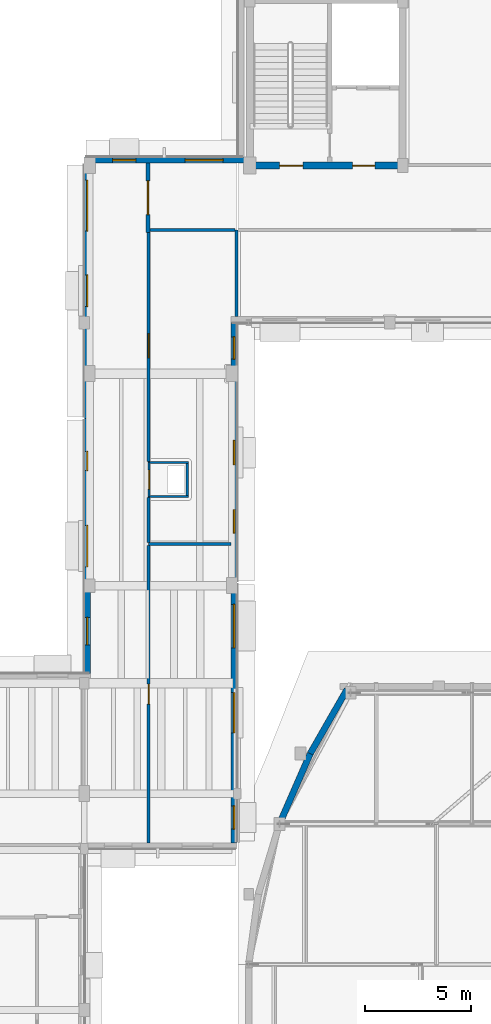
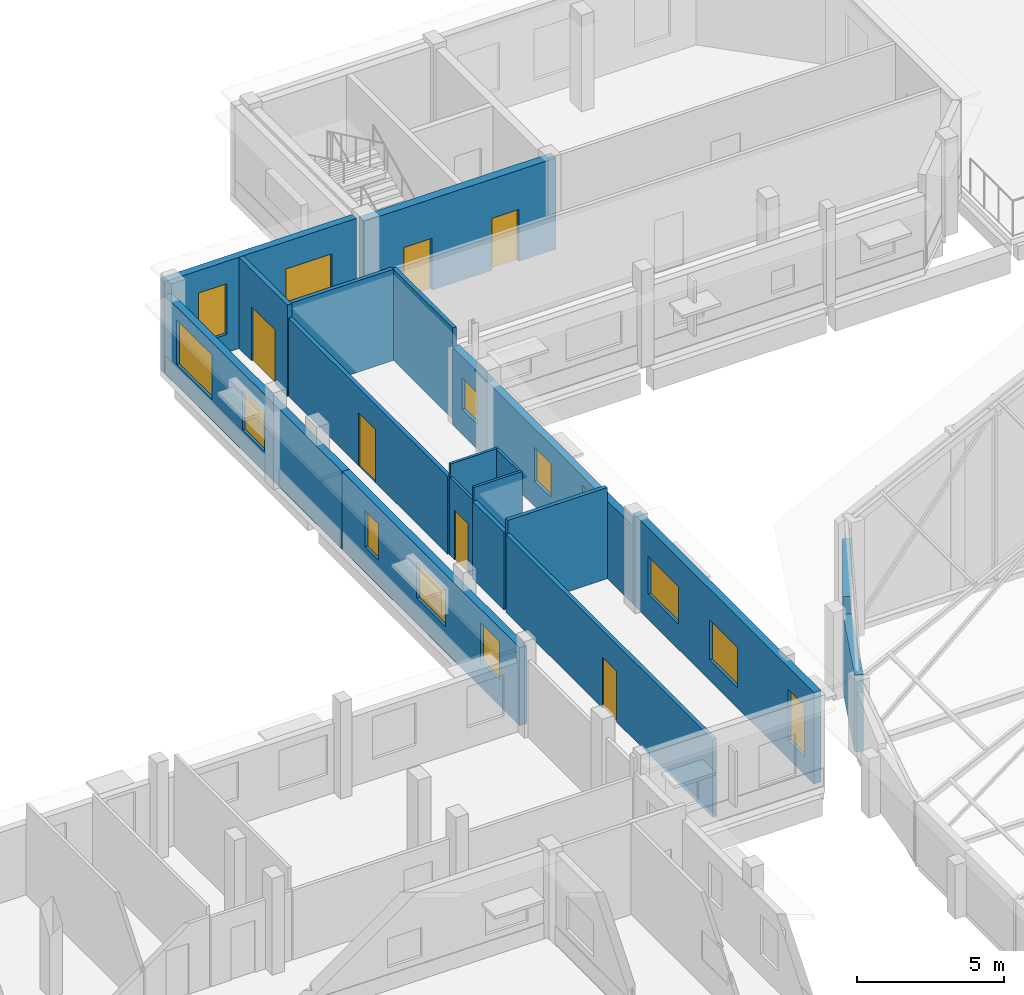
# One storey, part 66 of 78: 19 walls, 13 windows, 6 doors, 19 openings.
"""IFC4 building model written with IfcOpenShell, lengths in metres."""

import ifcopenshell
import ifcopenshell.guid

model = None  # the IFC model being written
_history = None  # IfcOwnerHistory: only IFC2X3 demands one
_inside = {}  # id of a spatial element -> (the spatial element, [elements in it])
_under = {}  # id of a project, library or spatial element -> (it, [spatial elements below it])
_declared = {}  # id of a project -> (the project, [libraries it declares])
_typed = {}  # id of a type object -> (the type object, [elements of that type])
_made_of = {}  # id of a material, layer set ... -> (it, [elements and type objects made of it])


def new_model(schema):
    """Start an empty IFC model of exactly this schema.

    Asked for "IFC4X3", IfcOpenShell would pick the latest addendum, in which some entities
    have other attributes; the version numbers below select the first issue.
    IFC2X3 requires an IfcOwnerHistory on every rooted entity: one is made here for all.
    """
    global model, _history
    if schema == "IFC4X3":
        model = ifcopenshell.file(schema_version=(4, 3, 0, 0))
    else:
        model = ifcopenshell.file(schema=schema)
    _inside.clear()
    _under.clear()
    _declared.clear()
    _typed.clear()
    _made_of.clear()
    _history = None
    if model.schema == "IFC2X3":
        org = make("IfcOrganization", Name="unknown")
        user = make(
            "IfcPersonAndOrganization",
            ThePerson=make("IfcPerson", FamilyName="unknown"),
            TheOrganization=org,
        )
        app = make(
            "IfcApplication",
            ApplicationDeveloper=org,
            Version="unknown",
            ApplicationFullName="unknown",
            ApplicationIdentifier="unknown",
        )
        _history = make(
            "IfcOwnerHistory",
            OwningUser=user,
            OwningApplication=app,
            ChangeAction="ADDED",
            CreationDate=0,
        )
    return model


def make(cls, **values):
    """One entity of the class cls with the attributes given. An attribute that is None is left unset."""
    return model.create_entity(
        cls, **{name: value for name, value in values.items() if value is not None}
    )


def rooted(cls, **values):
    """An entity with a GlobalId (a new one), such as an element, a storey or a relation."""
    return make(cls, GlobalId=ifcopenshell.guid.new(), OwnerHistory=_history, **values)


def si_unit(unit_type, name, prefix=None):
    """IfcSIUnit, for example si_unit("LENGTHUNIT", "METRE", prefix="MILLI")."""
    return make("IfcSIUnit", UnitType=unit_type, Prefix=prefix, Name=name)


def assignment(units):
    """IfcUnitAssignment: the units of a project."""
    return None if units is None else make("IfcUnitAssignment", Units=units)


def point(xyz):
    """IfcCartesianPoint."""
    return None if xyz is None else make("IfcCartesianPoint", Coordinates=xyz)


def direction(xyz):
    """IfcDirection."""
    return None if xyz is None else make("IfcDirection", DirectionRatios=xyz)


def frame(location, z_axis=None, x_axis=None):
    """IfcAxis2Placement3D, a coordinate frame: its origin and axes. An axis left out is left unset."""
    return make(
        "IfcAxis2Placement3D",
        Location=point(location),
        Axis=direction(z_axis),
        RefDirection=direction(x_axis),
    )


def frame_2d(location, x_axis=None):
    """IfcAxis2Placement2D, a coordinate frame in the plane: its origin and x axis."""
    return make(
        "IfcAxis2Placement2D", Location=point(location), RefDirection=direction(x_axis)
    )


def origin():
    """The frame at (0, 0, 0) with its axes left unset."""
    return frame((0.0, 0.0, 0.0))


def place(relative_to, where):
    """IfcLocalPlacement: puts the frame where relative to a parent placement (None: the world)."""
    return make(
        "IfcLocalPlacement", PlacementRelTo=relative_to, RelativePlacement=where
    )


def context(
    kind, dimensions, precision=None, world=None, true_north=None, identifier=None
):
    """IfcGeometricRepresentationContext, for example the 3D "Model" context."""
    return make(
        "IfcGeometricRepresentationContext",
        ContextIdentifier=identifier,
        ContextType=kind,
        CoordinateSpaceDimension=dimensions,
        Precision=precision,
        WorldCoordinateSystem=world,
        TrueNorth=true_north,
    )


def subcontext(parent, identifier, kind, view, scale=None):
    """IfcGeometricRepresentationSubContext, for example "Body" below "Model"."""
    return make(
        "IfcGeometricRepresentationSubContext",
        ContextIdentifier=identifier,
        ContextType=kind,
        ParentContext=parent,
        TargetScale=scale,
        TargetView=view,
    )


def project(units=None, contexts=None):
    """IfcProject with its units and contexts."""
    return rooted(
        "IfcProject",
        Name="project",
        RepresentationContexts=contexts,
        UnitsInContext=assignment(units),
    )


def spatial(cls, under=None, at=None, **own):
    """A site, building, storey or space (cls), placed at a placement, below another one or the project."""
    s = rooted(cls, ObjectPlacement=at, **own)
    if under is not None:
        _under.setdefault(under.id(), (under, []))[1].append(s)
    return s


def profile(cls, at=None, kind="AREA", **sizes):
    """A parametric profile (cls). Its sizes go by their IFC names, for example OverallWidth=200.0."""
    return make(cls, ProfileType=kind, Position=at, **sizes)


def rectangle(**sizes):
    """IfcRectangleProfileDef."""
    return profile("IfcRectangleProfileDef", **sizes)


def extrude(swept, where, along, depth):
    """IfcExtrudedAreaSolid: the profile swept, set in the frame where, extruded along a direction by depth."""
    return make(
        "IfcExtrudedAreaSolid",
        SweptArea=swept,
        Position=where,
        ExtrudedDirection=direction(along),
        Depth=depth,
    )


def shape(context_of_items, identifier, shape_type, items):
    """IfcShapeRepresentation: the items that make up one representation, for example the "Body"."""
    return make(
        "IfcShapeRepresentation",
        ContextOfItems=context_of_items,
        RepresentationIdentifier=identifier,
        RepresentationType=shape_type,
        Items=items,
    )


def material(Name=None, Category=None):
    """IfcMaterial."""
    return make("IfcMaterial", Name=Name, Category=Category)


def layer(
    of_material, thickness, ventilated=None, Name=None, Category=None, Priority=None
):
    """IfcMaterialLayer: one layer of a wall or slab, of a material (None: an air gap)."""
    return make(
        "IfcMaterialLayer",
        Material=of_material,
        LayerThickness=thickness,
        IsVentilated=ventilated,
        Name=Name,
        Category=Category,
        Priority=Priority,
    )


def layer_set(layers, Name=None):
    """IfcMaterialLayerSet."""
    return make("IfcMaterialLayerSet", MaterialLayers=layers, LayerSetName=Name)


def made_of(thing, what):
    """Note that an element or type object is made of a material, layer set ...; save() writes the relation."""
    if what is not None:
        _made_of.setdefault(what.id(), (what, []))[1].append(thing)
    return thing


def type_object(cls, material=None, **own):
    """A type object (cls), such as IfcWallType, which elements share."""
    return made_of(rooted(cls, **own), material)


def element(
    cls,
    number,
    at=None,
    inside=None,
    cuts=None,
    type_object=None,
    material=None,
    context=None,
    identifier="Body",
    shape_type=None,
    held_by="IfcProductDefinitionShape",
    body=None,
    shapes=None,
    **own,
):
    """One element of the class cls, such as IfcWall. Its Tag is "e" and its number.

    at: its placement. inside: the storey or other place that contains it. cuts: it is an
    opening in that element (IfcRelVoidsElement). A single representation is given by context,
    identifier, shape_type and body (its items); several are given by shapes. held_by: the class
    of the entity that holds the representations. save() writes the other relations.
    """
    e = rooted(cls, Tag="e%d" % number, ObjectPlacement=at, **own)
    if body is not None:
        shapes = [shape(context, identifier, shape_type, body)]
    if shapes is not None:
        e.Representation = make(held_by, Representations=shapes)
    if inside is not None:
        _inside.setdefault(inside.id(), (inside, []))[1].append(e)
    if cuts is not None:
        rooted(
            "IfcRelVoidsElement", RelatingBuildingElement=cuts, RelatedOpeningElement=e
        )
    if type_object is not None:
        _typed.setdefault(type_object.id(), (type_object, []))[1].append(e)
    return made_of(e, material)


def fill(opening, filler):
    """IfcRelFillsElement: the door or window that sits in an opening."""
    return rooted(
        "IfcRelFillsElement",
        RelatingOpeningElement=opening,
        RelatedBuildingElement=filler,
    )


def aggregate(whole, parts):
    """IfcRelAggregates: a whole, such as a stair, and the parts it consists of."""
    return rooted("IfcRelAggregates", RelatingObject=whole, RelatedObjects=parts)


def save(model, path):
    """Write the relations noted so far, then the file.

    IfcRelAggregates (storeys below a building ...), IfcRelContainedInSpatialStructure (elements
    in a storey), IfcRelDefinesByType, IfcRelAssociatesMaterial and IfcRelDeclares: one each for
    every whole, place, type object, material and project.
    """
    for whole, parts in _under.values():
        aggregate(whole, parts)
    for where, things in _inside.values():
        rooted(
            "IfcRelContainedInSpatialStructure",
            RelatedElements=things,
            RelatingStructure=where,
        )
    for kind, things in _typed.values():
        rooted("IfcRelDefinesByType", RelatedObjects=things, RelatingType=kind)
    for what, things in _made_of.values():
        rooted("IfcRelAssociatesMaterial", RelatedObjects=things, RelatingMaterial=what)
    for by, libraries in _declared.values():
        rooted("IfcRelDeclares", RelatingContext=by, RelatedDefinitions=libraries)
    model.write(path)


model = new_model("IFC4")

# Units and contexts
model_context = context("Model", 3, precision=1e-05, world=origin(), true_north=direction((0.0, 1.0)))
body_context = subcontext(model_context, "Body", "Model", "MODEL_VIEW")
ifc_project = project(units=[si_unit("LENGTHUNIT", "METRE"), si_unit("AREAUNIT", "SQUARE_METRE"), si_unit("VOLUMEUNIT", "CUBIC_METRE"), si_unit("PLANEANGLEUNIT", "RADIAN"), si_unit("MASSUNIT", "GRAM", prefix="KILO")], contexts=[model_context])

# Site, building, storey
site_placement = place(None, origin())
site = spatial("IfcSite", under=ifc_project, at=site_placement, CompositionType="ELEMENT")
building_placement = place(site_placement, origin())
building = spatial("IfcBuilding", under=site, at=building_placement, Name="Kelanivale Promenade Academy", CompositionType="ELEMENT")
storey_placement = place(building_placement, frame((0.0, 0.0, 16.199951171875)))
storey = spatial("IfcBuildingStorey", under=building, at=storey_placement, Name="L04", CompositionType="ELEMENT", Elevation=16.199951171875)

# Wall, openings, doors
ifc_material_1 = material(Name="Concrete C40/50", Category="concrete")
ifc_layer_1 = layer(ifc_material_1, 0.330078125)
ifc_layer_set_1 = layer_set([ifc_layer_1], Name="Concrete C40/50")
wall_type_1 = type_object("IfcWallType", Name="CW-S1 Wall 330mm", PredefinedType="SHEAR", material=ifc_layer_set_1)
wall_1_placement = place(storey_placement, frame((123.235107421875, 103.800048828125, 0.0), z_axis=(0.0, 0.0, 1.0), x_axis=(1.0, 0.0, 0.0)))
wall_1 = element("IfcWall", 1, at=wall_1_placement, inside=storey, type_object=wall_type_1, Name="CORE-5 RC shear wall S L04", PredefinedType="SHEAR", context=body_context, shape_type="SweptSolid", body=[
    extrude(rectangle(XDim=7.52978515625, YDim=0.330078125, at=frame_2d((3.764892578125, 0.0))), origin(), (0.0, 0.0, 1.0), 3.780029296875),
])
opening_1_placement = place(wall_1_placement, frame((5.014892578125, 0.0, 0.0)))
opening_1 = element("IfcOpeningElement", 2, at=opening_1_placement, cuts=wall_1, Name="Opening FD-CORE-5-LB-L04", PredefinedType="OPENING", context=body_context, shape_type="SweptSolid", body=[
    extrude(rectangle(XDim=1.050048828125, YDim=2.14990234375, at=frame_2d((0.52490234375, 1.074951171875))), frame((0.0, 0.175048828125, 0.0), z_axis=(0.0, -1.0, 0.0), x_axis=(1.0, 0.0, 0.0)), (0.0, 0.0, 1.0), 0.35009765625),
])
opening_2_placement = place(wall_1_placement, frame((1.56494140625, 0.0, 0.0)))
opening_2 = element("IfcOpeningElement", 3, at=opening_2_placement, cuts=wall_1, Name="Opening FD-CORE-5-ST-L04", PredefinedType="OPENING", context=body_context, shape_type="SweptSolid", body=[
    extrude(rectangle(XDim=1.10009765625, YDim=2.14990234375, at=frame_2d((0.550048828125, 1.074951171875))), frame((0.0, 0.175048828125, 0.0), z_axis=(0.0, -1.0, 0.0), x_axis=(1.0, 0.0, 0.0)), (0.0, 0.0, 1.0), 0.35009765625),
])
ifc_material_2 = material(Name="Fire-rated steel-core teak veneer", Category="steel")
door_type_1 = type_object("IfcDoorType", Name="DT-F01 Door 1100x2150", OperationType="NOTDEFINED", PredefinedType="DOOR", material=ifc_material_2)
door_1_placement = place(opening_2_placement, frame((1.10009765625, 0.0, 0.0), z_axis=(0.0, 0.0, 1.0), x_axis=(-1.0, 0.0, 0.0)))
door_1 = element("IfcDoor", 4, at=door_1_placement, inside=storey, type_object=door_type_1, Name="CORE-5 protected stair fire door L04", OperationType="SINGLE_SWING_RIGHT", OverallHeight=2.14990234375, OverallWidth=1.10009765625, PredefinedType="DOOR", context=body_context, shape_type="SweptSolid", body=[
    extrude(rectangle(XDim=1.10009765625, YDim=2.14990234375, at=frame_2d((0.550048828125, 1.074951171875))), frame((0.0, 0.02490234375, 0.0), z_axis=(0.0, -1.0, 0.0), x_axis=(1.0, 0.0, 0.0)), (0.0, 0.0, 1.0), 0.050048828125),
])
fill(opening_2, door_1)
door_type_2 = type_object("IfcDoorType", Name="DT-F03 Door 1050x2150", OperationType="NOTDEFINED", PredefinedType="DOOR", material=ifc_material_2)
door_2_placement = place(opening_1_placement, origin())
door_2 = element("IfcDoor", 5, at=door_2_placement, inside=storey, type_object=door_type_2, Name="CORE-5 corridor-to-lobby fire door L04", OperationType="SINGLE_SWING_LEFT", OverallHeight=2.14990234375, OverallWidth=1.050048828125, PredefinedType="DOOR", context=body_context, shape_type="SweptSolid", body=[
    extrude(rectangle(XDim=1.050048828125, YDim=2.14990234375, at=frame_2d((0.52490234375, 1.074951171875))), frame((0.0, 0.02490234375, 0.0), z_axis=(0.0, -1.0, 0.0), x_axis=(1.0, 0.0, 0.0)), (0.0, 0.0, 1.0), 0.050048828125),
])
fill(opening_1, door_2)

# Walls
ifc_material_3 = material(Name="Insulated terracotta-clad masonry wall 300 mm", Category="masonry")
ifc_layer_2 = layer(ifc_material_3, 0.300048828125)
ifc_layer_set_2 = layer_set([ifc_layer_2], Name="Insulated terracotta-clad masonry wall 300 mm")
wall_type_2 = type_object("IfcWallType", Name="EW-01 Wall 300mm", PredefinedType="SOLIDWALL", material=ifc_layer_set_2)
wall_2_placement = place(storey_placement, frame((126.25, 76.0859375, 0.0), z_axis=(0.0, 0.0, 1.0), x_axis=(-0.400740958437, -0.916191401526, 0.0)))
element("IfcWall", 6, at=wall_2_placement, inside=storey, type_object=wall_type_2, Name="Assembly Hall Arc Pavilion inner crescent wall L04", PredefinedType="SOLIDWALL", context=body_context, shape_type="SweptSolid", body=[
    extrude(rectangle(XDim=3.6181640625, YDim=0.300048828125, at=frame_2d((1.80908203125, 0.0))), origin(), (0.0, 0.0, 1.0), 3.18896484375),
])
wall_3_placement = place(storey_placement, frame((127.98095703125, 79.10498046875, 0.0), z_axis=(0.0, 0.0, 1.0), x_axis=(-0.497392560198, -0.867525585248, 0.0)))
element("IfcWall", 7, at=wall_3_placement, inside=storey, type_object=wall_type_2, Name="Assembly Hall Arc Pavilion inner crescent wall L04", PredefinedType="SOLIDWALL", context=body_context, shape_type="SweptSolid", body=[
    extrude(rectangle(XDim=3.47998046875, YDim=0.300048828125, at=frame_2d((1.739990234375, 0.0))), origin(), (0.0, 0.0, 1.0), 3.89794921875),
])

# Wall, openings, windows
ifc_material_4 = material(Name="Insulated ivory stucco masonry wall 280 mm", Category="masonry")
ifc_layer_3 = layer(ifc_material_4, 0.280029296875)
ifc_layer_set_3 = layer_set([ifc_layer_3], Name="Insulated ivory stucco masonry wall 280 mm")
wall_type_3 = type_object("IfcWallType", Name="EW-02 Wall 280mm", PredefinedType="SOLIDWALL", material=ifc_layer_set_3)
wall_4_placement = place(storey_placement, frame((122.659912109375, 71.8798828125, 0.0), z_axis=(0.0, 0.0, 1.0), x_axis=(0.0, 1.0, 0.0)))
wall_4 = element("IfcWall", 8, at=wall_4_placement, inside=storey, type_object=wall_type_3, Name="L04 exterior facade wall EW-L04-ORT-0531", PredefinedType="SOLIDWALL", context=body_context, shape_type="SweptSolid", body=[
    extrude(rectangle(XDim=12.260009765625, YDim=0.280029296875, at=frame_2d((6.1298828125, 0.0))), origin(), (0.0, 0.0, 1.0), 3.780029296875),
])
opening_3_placement = place(wall_4_placement, frame((0.64306640625, 0.0, 0.75)))
opening_3 = element("IfcOpeningElement", 9, at=opening_3_placement, cuts=wall_4, Name="Opening WT-17", PredefinedType="OPENING", context=body_context, shape_type="SweptSolid", body=[
    extrude(rectangle(XDim=1.10009765625, YDim=2.10009765625, at=frame_2d((0.550048828125, 1.050048828125))), frame((0.0, 0.14990234375, 0.0), z_axis=(0.0, -1.0, 0.0), x_axis=(1.0, 0.0, 0.0)), (0.0, 0.0, 1.0), 0.300048828125),
])
opening_4_placement = place(wall_4_placement, frame((5.179931640625, 0.0, 0.85009765625)))
opening_4 = element("IfcOpeningElement", 10, at=opening_4_placement, cuts=wall_4, Name="Opening WT-26", PredefinedType="OPENING", context=body_context, shape_type="SweptSolid", body=[
    extrude(rectangle(XDim=1.89990234375, YDim=1.64990234375, at=frame_2d((0.949951171875, 0.824951171875))), frame((0.0, 0.14990234375, 0.0), z_axis=(0.0, -1.0, 0.0), x_axis=(1.0, 0.0, 0.0)), (0.0, 0.0, 1.0), 0.300048828125),
])
opening_5_placement = place(wall_4_placement, frame((9.19189453125, 0.0, 1.050048828125)))
opening_5 = element("IfcOpeningElement", 11, at=opening_5_placement, cuts=wall_4, Name="Opening WT-27", PredefinedType="OPENING", context=body_context, shape_type="SweptSolid", body=[
    extrude(rectangle(XDim=2.050048828125, YDim=1.550048828125, at=frame_2d((1.02490234375, 0.77490234375))), frame((0.0, 0.14990234375, 0.0), z_axis=(0.0, -1.0, 0.0), x_axis=(1.0, 0.0, 0.0)), (0.0, 0.0, 1.0), 0.300048828125),
])
ifc_material_5 = material(Name="Bronze anodised aluminium frame with low-E laminated glass", Category="aluminium")
window_type_1 = type_object("IfcWindowType", Name="WT-17 Window 1100x2100", PartitioningType="SINGLE_PANEL", PredefinedType="WINDOW", material=ifc_material_5)
window_1_placement = place(opening_3_placement, origin())
window_1 = element("IfcWindow", 12, at=window_1_placement, inside=storey, type_object=window_type_1, Name="Window WT-17", OverallHeight=2.10009765625, OverallWidth=1.10009765625, PartitioningType="SINGLE_PANEL", PredefinedType="WINDOW", context=body_context, shape_type="SweptSolid", body=[
    extrude(rectangle(XDim=1.10009765625, YDim=2.10009765625, at=frame_2d((0.550048828125, 1.050048828125))), frame((0.0, 0.030029296875, 0.0), z_axis=(0.0, -1.0, 0.0), x_axis=(1.0, 0.0, 0.0)), (0.0, 0.0, 1.0), 0.06005859375),
])
fill(opening_3, window_1)
window_type_2 = type_object("IfcWindowType", Name="WT-26 Window 1900x1650", PartitioningType="SINGLE_PANEL", PredefinedType="WINDOW", material=ifc_material_5)
window_2_placement = place(opening_4_placement, origin())
window_2 = element("IfcWindow", 13, at=window_2_placement, inside=storey, type_object=window_type_2, Name="Window WT-26", OverallHeight=1.64990234375, OverallWidth=1.89990234375, PartitioningType="SINGLE_PANEL", PredefinedType="WINDOW", context=body_context, shape_type="SweptSolid", body=[
    extrude(rectangle(XDim=1.89990234375, YDim=1.64990234375, at=frame_2d((0.949951171875, 0.824951171875))), frame((0.0, 0.030029296875, 0.0), z_axis=(0.0, -1.0, 0.0), x_axis=(1.0, 0.0, 0.0)), (0.0, 0.0, 1.0), 0.06005859375),
])
fill(opening_4, window_2)
window_type_3 = type_object("IfcWindowType", Name="WT-27 Window 2050x1550", PartitioningType="SINGLE_PANEL", PredefinedType="WINDOW", material=ifc_material_5)
window_3_placement = place(opening_5_placement, origin())
window_3 = element("IfcWindow", 14, at=window_3_placement, inside=storey, type_object=window_type_3, Name="Window WT-27", OverallHeight=1.550048828125, OverallWidth=2.050048828125, PartitioningType="SINGLE_PANEL", PredefinedType="WINDOW", context=body_context, shape_type="SweptSolid", body=[
    extrude(rectangle(XDim=2.050048828125, YDim=1.550048828125, at=frame_2d((1.02490234375, 0.77490234375))), frame((0.0, 0.030029296875, 0.0), z_axis=(0.0, -1.0, 0.0), x_axis=(1.0, 0.0, 0.0)), (0.0, 0.0, 1.0), 0.06005859375),
])
fill(opening_5, window_3)

wall_5_placement = place(storey_placement, frame((122.659912109375, 84.139892578125, 0.0), z_axis=(0.0, 0.0, 1.0), x_axis=(0.0, 1.0, 0.0)))
wall_5 = element("IfcWall", 15, at=wall_5_placement, inside=storey, type_object=wall_type_3, Name="L04 exterior facade wall EW-L04-ORT-0532", PredefinedType="SOLIDWALL", context=body_context, shape_type="SweptSolid", body=[
    extrude(rectangle(XDim=12.260009765625, YDim=0.280029296875, at=frame_2d((6.1298828125, 0.0))), origin(), (0.0, 0.0, 1.0), 3.22509765625),
])
opening_6_placement = place(wall_5_placement, frame((2.343017578125, 0.0, 0.75)))
opening_6 = element("IfcOpeningElement", 16, at=opening_6_placement, cuts=wall_5, Name="Opening WT-17", PredefinedType="OPENING", context=body_context, shape_type="SweptSolid", body=[
    extrude(rectangle(XDim=1.10009765625, YDim=2.10009765625, at=frame_2d((0.550048828125, 1.050048828125))), frame((0.0, 0.14990234375, 0.0), z_axis=(0.0, -1.0, 0.0), x_axis=(1.0, 0.0, 0.0)), (0.0, 0.0, 1.0), 0.300048828125),
])
opening_7_placement = place(wall_5_placement, frame((5.554931640625, 0.0, 1.050048828125)))
opening_7 = element("IfcOpeningElement", 17, at=opening_7_placement, cuts=wall_5, Name="Opening WT-29", PredefinedType="OPENING", context=body_context, shape_type="SweptSolid", body=[
    extrude(rectangle(XDim=1.14990234375, YDim=1.39990234375, at=frame_2d((0.574951171875, 0.699951171875))), frame((0.0, 0.14990234375, 0.0), z_axis=(0.0, -1.0, 0.0), x_axis=(1.0, 0.0, 0.0)), (0.0, 0.0, 1.0), 0.300048828125),
])
opening_8_placement = place(wall_5_placement, frame((10.5419921875, 0.0, 1.050048828125)))
opening_8 = element("IfcOpeningElement", 18, at=opening_8_placement, cuts=wall_5, Name="Opening WT-30", PredefinedType="OPENING", context=body_context, shape_type="SweptSolid", body=[
    extrude(rectangle(XDim=1.050048828125, YDim=1.300048828125, at=frame_2d((0.52490234375, 0.64990234375))), frame((0.0, 0.14990234375, 0.0), z_axis=(0.0, -1.0, 0.0), x_axis=(1.0, 0.0, 0.0)), (0.0, 0.0, 1.0), 0.300048828125),
])
window_4_placement = place(opening_6_placement, origin())
window_4 = element("IfcWindow", 19, at=window_4_placement, inside=storey, type_object=window_type_1, Name="Window WT-17", OverallHeight=2.10009765625, OverallWidth=1.10009765625, PartitioningType="SINGLE_PANEL", PredefinedType="WINDOW", context=body_context, shape_type="SweptSolid", body=[
    extrude(rectangle(XDim=1.10009765625, YDim=2.10009765625, at=frame_2d((0.550048828125, 1.050048828125))), frame((0.0, 0.030029296875, 0.0), z_axis=(0.0, -1.0, 0.0), x_axis=(1.0, 0.0, 0.0)), (0.0, 0.0, 1.0), 0.06005859375),
])
fill(opening_6, window_4)
window_type_4 = type_object("IfcWindowType", Name="WT-29 Window 1150x1400", PartitioningType="SINGLE_PANEL", PredefinedType="WINDOW", material=ifc_material_5)
window_5_placement = place(opening_7_placement, origin())
window_5 = element("IfcWindow", 20, at=window_5_placement, inside=storey, type_object=window_type_4, Name="Window WT-29", OverallHeight=1.39990234375, OverallWidth=1.14990234375, PartitioningType="SINGLE_PANEL", PredefinedType="WINDOW", context=body_context, shape_type="SweptSolid", body=[
    extrude(rectangle(XDim=1.14990234375, YDim=1.39990234375, at=frame_2d((0.574951171875, 0.699951171875))), frame((0.0, 0.030029296875, 0.0), z_axis=(0.0, -1.0, 0.0), x_axis=(1.0, 0.0, 0.0)), (0.0, 0.0, 1.0), 0.06005859375),
])
fill(opening_7, window_5)
window_type_5 = type_object("IfcWindowType", Name="WT-30 Window 1050x1300", PartitioningType="SINGLE_PANEL", PredefinedType="WINDOW", material=ifc_material_5)
window_6_placement = place(opening_8_placement, origin())
window_6 = element("IfcWindow", 21, at=window_6_placement, inside=storey, type_object=window_type_5, Name="Window WT-30", OverallHeight=1.300048828125, OverallWidth=1.050048828125, PartitioningType="SINGLE_PANEL", PredefinedType="WINDOW", context=body_context, shape_type="SweptSolid", body=[
    extrude(rectangle(XDim=1.050048828125, YDim=1.300048828125, at=frame_2d((0.52490234375, 0.64990234375))), frame((0.0, 0.030029296875, 0.0), z_axis=(0.0, -1.0, 0.0), x_axis=(1.0, 0.0, 0.0)), (0.0, 0.0, 1.0), 0.06005859375),
])
fill(opening_8, window_6)

wall_6_placement = place(storey_placement, frame((123.1298828125, 104.06005859375, 0.0), z_axis=(0.0, 0.0, 1.0), x_axis=(-1.0, 0.0, 0.0)))
wall_6 = element("IfcWall", 22, at=wall_6_placement, inside=storey, type_object=wall_type_3, Name="L04 exterior facade wall EW-L04-ORT-0539", PredefinedType="SOLIDWALL", context=body_context, shape_type="SweptSolid", body=[
    extrude(rectangle(XDim=7.52978515625, YDim=0.280029296875, at=frame_2d((3.764892578125, 0.0))), origin(), (0.0, 0.0, 1.0), 3.780029296875),
])
opening_9_placement = place(wall_6_placement, frame((0.98291015625, 0.0, 0.85009765625)))
opening_9 = element("IfcOpeningElement", 23, at=opening_9_placement, cuts=wall_6, Name="Opening WT-01", PredefinedType="OPENING", context=body_context, shape_type="SweptSolid", body=[
    extrude(rectangle(XDim=1.800048828125, YDim=1.800048828125, at=frame_2d((0.89990234375, 0.89990234375))), frame((0.0, 0.14990234375, 0.0), z_axis=(0.0, -1.0, 0.0), x_axis=(1.0, 0.0, 0.0)), (0.0, 0.0, 1.0), 0.300048828125),
])
opening_10_placement = place(wall_6_placement, frame((5.097900390625, 0.0, 0.75)))
opening_10 = element("IfcOpeningElement", 24, at=opening_10_placement, cuts=wall_6, Name="Opening WT-17", PredefinedType="OPENING", context=body_context, shape_type="SweptSolid", body=[
    extrude(rectangle(XDim=1.10009765625, YDim=2.10009765625, at=frame_2d((0.550048828125, 1.050048828125))), frame((0.0, 0.14990234375, 0.0), z_axis=(0.0, -1.0, 0.0), x_axis=(1.0, 0.0, 0.0)), (0.0, 0.0, 1.0), 0.300048828125),
])
window_type_6 = type_object("IfcWindowType", Name="WT-01 Window 1800x1800", PartitioningType="SINGLE_PANEL", PredefinedType="WINDOW", material=ifc_material_5)
window_7_placement = place(opening_9_placement, origin())
window_7 = element("IfcWindow", 25, at=window_7_placement, inside=storey, type_object=window_type_6, Name="Window WT-01", OverallHeight=1.800048828125, OverallWidth=1.800048828125, PartitioningType="SINGLE_PANEL", PredefinedType="WINDOW", context=body_context, shape_type="SweptSolid", body=[
    extrude(rectangle(XDim=1.800048828125, YDim=1.800048828125, at=frame_2d((0.89990234375, 0.89990234375))), frame((0.0, 0.030029296875, 0.0), z_axis=(0.0, -1.0, 0.0), x_axis=(1.0, 0.0, 0.0)), (0.0, 0.0, 1.0), 0.06005859375),
])
fill(opening_9, window_7)
window_8_placement = place(opening_10_placement, origin())
window_8 = element("IfcWindow", 26, at=window_8_placement, inside=storey, type_object=window_type_1, Name="Window WT-17", OverallHeight=2.10009765625, OverallWidth=1.10009765625, PartitioningType="SINGLE_PANEL", PredefinedType="WINDOW", context=body_context, shape_type="SweptSolid", body=[
    extrude(rectangle(XDim=1.10009765625, YDim=2.10009765625, at=frame_2d((0.550048828125, 1.050048828125))), frame((0.0, 0.030029296875, 0.0), z_axis=(0.0, -1.0, 0.0), x_axis=(1.0, 0.0, 0.0)), (0.0, 0.0, 1.0), 0.06005859375),
])
fill(opening_10, window_8)

wall_7_placement = place(storey_placement, frame((115.739990234375, 103.919921875, 0.0), z_axis=(0.0, 0.0, 1.0), x_axis=(0.0, -1.0, 0.0)))
wall_7 = element("IfcWall", 27, at=wall_7_placement, inside=storey, type_object=wall_type_3, Name="L04 exterior facade wall EW-L04-ORT-0540", PredefinedType="SOLIDWALL", context=body_context, shape_type="SweptSolid", body=[
    extrude(rectangle(XDim=12.034912109375, YDim=0.280029296875, at=frame_2d((6.017578125, 0.0))), origin(), (0.0, 0.0, 1.0), 3.22509765625),
])
opening_11_placement = place(wall_7_placement, frame((0.805908203125, 0.0, 0.85009765625)))
opening_11 = element("IfcOpeningElement", 28, at=opening_11_placement, cuts=wall_7, Name="Opening WT-03", PredefinedType="OPENING", context=body_context, shape_type="SweptSolid", body=[
    extrude(rectangle(XDim=2.39990234375, YDim=1.85009765625, at=frame_2d((1.199951171875, 0.925048828125))), frame((0.0, 0.14990234375, 0.0), z_axis=(0.0, -1.0, 0.0), x_axis=(1.0, 0.0, 0.0)), (0.0, 0.0, 1.0), 0.300048828125),
])
opening_12_placement = place(wall_7_placement, frame((5.26708984375, 0.0, 0.85009765625)))
opening_12 = element("IfcOpeningElement", 29, at=opening_12_placement, cuts=wall_7, Name="Opening WT-04", PredefinedType="OPENING", context=body_context, shape_type="SweptSolid", body=[
    extrude(rectangle(XDim=1.5, YDim=1.64990234375, at=frame_2d((0.75, 0.824951171875))), frame((0.0, 0.14990234375, 0.0), z_axis=(0.0, -1.0, 0.0), x_axis=(1.0, 0.0, 0.0)), (0.0, 0.0, 1.0), 0.300048828125),
])
window_type_7 = type_object("IfcWindowType", Name="WT-03 Window 2400x1850", PartitioningType="SINGLE_PANEL", PredefinedType="WINDOW", material=ifc_material_5)
window_9_placement = place(opening_11_placement, origin())
window_9 = element("IfcWindow", 30, at=window_9_placement, inside=storey, type_object=window_type_7, Name="Window WT-03", OverallHeight=1.85009765625, OverallWidth=2.39990234375, PartitioningType="SINGLE_PANEL", PredefinedType="WINDOW", context=body_context, shape_type="SweptSolid", body=[
    extrude(rectangle(XDim=2.39990234375, YDim=1.85009765625, at=frame_2d((1.199951171875, 0.925048828125))), frame((0.0, 0.030029296875, 0.0), z_axis=(0.0, -1.0, 0.0), x_axis=(1.0, 0.0, 0.0)), (0.0, 0.0, 1.0), 0.06005859375),
])
fill(opening_11, window_9)
window_type_8 = type_object("IfcWindowType", Name="WT-04 Window 1500x1650", PartitioningType="SINGLE_PANEL", PredefinedType="WINDOW", material=ifc_material_5)
window_10_placement = place(opening_12_placement, origin())
window_10 = element("IfcWindow", 31, at=window_10_placement, inside=storey, type_object=window_type_8, Name="Window WT-04", OverallHeight=1.64990234375, OverallWidth=1.5, PartitioningType="SINGLE_PANEL", PredefinedType="WINDOW", context=body_context, shape_type="SweptSolid", body=[
    extrude(rectangle(XDim=1.5, YDim=1.64990234375, at=frame_2d((0.75, 0.824951171875))), frame((0.0, 0.030029296875, 0.0), z_axis=(0.0, -1.0, 0.0), x_axis=(1.0, 0.0, 0.0)), (0.0, 0.0, 1.0), 0.06005859375),
])
fill(opening_12, window_10)

wall_8_placement = place(storey_placement, frame((115.739990234375, 91.885009765625, 0.0), z_axis=(0.0, 0.0, 1.0), x_axis=(0.0, -1.0, 0.0)))
wall_8 = element("IfcWall", 32, at=wall_8_placement, inside=storey, type_object=wall_type_3, Name="L04 exterior facade wall EW-L04-ORT-0541", PredefinedType="SOLIDWALL", context=body_context, shape_type="SweptSolid", body=[
    extrude(rectangle(XDim=12.034912109375, YDim=0.280029296875, at=frame_2d((6.017578125, 0.0))), origin(), (0.0, 0.0, 1.0), 3.22509765625),
])
opening_13_placement = place(wall_8_placement, frame((1.555908203125, 0.0, 1.050048828125)))
opening_13 = element("IfcOpeningElement", 33, at=opening_13_placement, cuts=wall_8, Name="Opening WT-06", PredefinedType="OPENING", context=body_context, shape_type="SweptSolid", body=[
    extrude(rectangle(XDim=0.89990234375, YDim=1.5, at=frame_2d((0.449951171875, 0.75))), frame((0.0, 0.14990234375, 0.0), z_axis=(0.0, -1.0, 0.0), x_axis=(1.0, 0.0, 0.0)), (0.0, 0.0, 1.0), 0.300048828125),
])
opening_14_placement = place(wall_8_placement, frame((5.04296875, 0.0, 1.050048828125)))
opening_14 = element("IfcOpeningElement", 34, at=opening_14_placement, cuts=wall_8, Name="Opening WT-22", PredefinedType="OPENING", context=body_context, shape_type="SweptSolid", body=[
    extrude(rectangle(XDim=1.949951171875, YDim=1.5, at=frame_2d((0.97509765625, 0.75))), frame((0.0, 0.14990234375, 0.0), z_axis=(0.0, -1.0, 0.0), x_axis=(1.0, 0.0, 0.0)), (0.0, 0.0, 1.0), 0.300048828125),
])
opening_15_placement = place(wall_8_placement, frame((9.37890625, 0.0, 1.050048828125)))
opening_15 = element("IfcOpeningElement", 35, at=opening_15_placement, cuts=wall_8, Name="Opening WT-23", PredefinedType="OPENING", context=body_context, shape_type="SweptSolid", body=[
    extrude(rectangle(XDim=1.300048828125, YDim=1.60009765625, at=frame_2d((0.64990234375, 0.800048828125))), frame((0.0, 0.14990234375, 0.0), z_axis=(0.0, -1.0, 0.0), x_axis=(1.0, 0.0, 0.0)), (0.0, 0.0, 1.0), 0.300048828125),
])
window_type_9 = type_object("IfcWindowType", Name="WT-06 Window 900x1500", PartitioningType="SINGLE_PANEL", PredefinedType="WINDOW", material=ifc_material_5)
window_11_placement = place(opening_13_placement, origin())
window_11 = element("IfcWindow", 36, at=window_11_placement, inside=storey, type_object=window_type_9, Name="Window WT-06", OverallHeight=1.5, OverallWidth=0.89990234375, PartitioningType="SINGLE_PANEL", PredefinedType="WINDOW", context=body_context, shape_type="SweptSolid", body=[
    extrude(rectangle(XDim=0.89990234375, YDim=1.5, at=frame_2d((0.449951171875, 0.75))), frame((0.0, 0.030029296875, 0.0), z_axis=(0.0, -1.0, 0.0), x_axis=(1.0, 0.0, 0.0)), (0.0, 0.0, 1.0), 0.06005859375),
])
fill(opening_13, window_11)
window_type_10 = type_object("IfcWindowType", Name="WT-22 Window 1950x1500", PartitioningType="SINGLE_PANEL", PredefinedType="WINDOW", material=ifc_material_5)
window_12_placement = place(opening_14_placement, origin())
window_12 = element("IfcWindow", 37, at=window_12_placement, inside=storey, type_object=window_type_10, Name="Window WT-22", OverallHeight=1.5, OverallWidth=1.949951171875, PartitioningType="SINGLE_PANEL", PredefinedType="WINDOW", context=body_context, shape_type="SweptSolid", body=[
    extrude(rectangle(XDim=1.949951171875, YDim=1.5, at=frame_2d((0.97509765625, 0.75))), frame((0.0, 0.030029296875, 0.0), z_axis=(0.0, -1.0, 0.0), x_axis=(1.0, 0.0, 0.0)), (0.0, 0.0, 1.0), 0.06005859375),
])
fill(opening_14, window_12)
window_type_11 = type_object("IfcWindowType", Name="WT-23 Window 1300x1600", PartitioningType="SINGLE_PANEL", PredefinedType="WINDOW", material=ifc_material_5)
window_13_placement = place(opening_15_placement, origin())
window_13 = element("IfcWindow", 38, at=window_13_placement, inside=storey, type_object=window_type_11, Name="Window WT-23", OverallHeight=1.60009765625, OverallWidth=1.300048828125, PartitioningType="SINGLE_PANEL", PredefinedType="WINDOW", context=body_context, shape_type="SweptSolid", body=[
    extrude(rectangle(XDim=1.300048828125, YDim=1.60009765625, at=frame_2d((0.64990234375, 0.800048828125))), frame((0.0, 0.030029296875, 0.0), z_axis=(0.0, -1.0, 0.0), x_axis=(1.0, 0.0, 0.0)), (0.0, 0.0, 1.0), 0.06005859375),
])
fill(opening_15, window_13)

# Wall, opening, door
ifc_material_6 = material(Name="Autoclaved masonry blockwork 180 mm", Category="masonry")
ifc_layer_4 = layer(ifc_material_6, 0.179931640625)
ifc_layer_set_4 = layer_set([ifc_layer_4], Name="Autoclaved masonry blockwork 180 mm")
wall_type_4 = type_object("IfcWallType", Name="IW-02 Wall 180mm", PredefinedType="PARTITIONING", material=ifc_layer_set_4)
wall_9_placement = place(storey_placement, frame((118.60009765625, 100.64990234375, 0.0), z_axis=(0.0, 0.0, 1.0), x_axis=(0.0, 1.0, 0.0)))
wall_9 = element("IfcWall", 39, at=wall_9_placement, inside=storey, type_object=wall_type_4, Name="L04 cross-corridor fire wall", PredefinedType="PARTITIONING", context=body_context, shape_type="SweptSolid", body=[
    extrude(rectangle(XDim=3.272216796875, YDim=0.179931640625, at=frame_2d((1.63623046875, 0.0))), origin(), (0.0, 0.0, 1.0), 3.780029296875),
])
opening_16_placement = place(wall_9_placement, frame((0.8359375, 0.0, 0.0)))
opening_16 = element("IfcOpeningElement", 40, at=opening_16_placement, cuts=wall_9, Name="Opening FD-L04-CC-176", PredefinedType="OPENING", context=body_context, shape_type="SweptSolid", body=[
    extrude(rectangle(XDim=1.60009765625, YDim=2.25, at=frame_2d((0.800048828125, 1.125))), frame((0.0, 0.10009765625, 0.0), z_axis=(0.0, -1.0, 0.0), x_axis=(1.0, 0.0, 0.0)), (0.0, 0.0, 1.0), 0.199951171875),
])
door_type_3 = type_object("IfcDoorType", Name="DT-F09 Door 1600x2250", OperationType="NOTDEFINED", PredefinedType="DOOR", material=ifc_material_2)
door_3_placement = place(opening_16_placement, origin())
door_3 = element("IfcDoor", 41, at=door_3_placement, inside=storey, type_object=door_type_3, Name="L04 cross-corridor fire door FD-L04-CC-176", OperationType="DOUBLE_DOOR_SINGLE_SWING", OverallHeight=2.25, OverallWidth=1.60009765625, PredefinedType="DOOR", context=body_context, shape_type="SweptSolid", body=[
    extrude(rectangle(XDim=1.60009765625, YDim=2.25, at=frame_2d((0.800048828125, 1.125))), frame((0.0, 0.02490234375, 0.0), z_axis=(0.0, -1.0, 0.0), x_axis=(1.0, 0.0, 0.0)), (0.0, 0.0, 1.0), 0.050048828125),
])
fill(opening_16, door_3)

# Wall
ifc_material_7 = material(Name="Acoustic gypsum-lined masonry partition 150 mm", Category="masonry")
ifc_layer_5 = layer(ifc_material_7, 0.14990234375)
ifc_layer_set_5 = layer_set([ifc_layer_5], Name="Acoustic gypsum-lined masonry partition 150 mm")
wall_type_5 = type_object("IfcWallType", Name="IW-03 Wall 150mm", PredefinedType="PARTITIONING", material=ifc_layer_set_5)
wall_10_placement = place(storey_placement, frame((122.52197265625, 85.969970703125, 0.0), z_axis=(0.0, 0.0, 1.0), x_axis=(-1.0, 0.0, 0.0)))
element("IfcWall", 42, at=wall_10_placement, inside=storey, type_object=wall_type_5, Name="L04 partition Chemical Prep Room", PredefinedType="PARTITIONING", context=body_context, shape_type="SweptSolid", body=[
    extrude(rectangle(XDim=3.89208984375, YDim=0.14990234375, at=frame_2d((1.946044921875, 0.0))), origin(), (0.0, 0.0, 1.0), 3.775146484375),
])

# Wall, opening, door
wall_11_placement = place(storey_placement, frame((118.6298828125, 85.89697265625, 0.0), z_axis=(0.0, 0.0, 1.0), x_axis=(0.0, -1.0, 0.0)))
wall_11 = element("IfcWall", 43, at=wall_11_placement, inside=storey, type_object=wall_type_5, Name="L04 partition Chemical Prep Room", PredefinedType="PARTITIONING", context=body_context, shape_type="SweptSolid", body=[
    extrude(rectangle(XDim=14.01904296875, YDim=0.14990234375, at=frame_2d((7.009521484375, 0.0))), origin(), (0.0, 0.0, 1.0), 3.22509765625),
])
opening_17_placement = place(wall_11_placement, frame((6.534912109375, 0.0, 0.0)))
opening_17 = element("IfcOpeningElement", 44, at=opening_17_placement, cuts=wall_11, Name="Opening ID-L04-190", PredefinedType="OPENING", context=body_context, shape_type="SweptSolid", body=[
    extrude(rectangle(XDim=0.949951171875, YDim=2.10009765625, at=frame_2d((0.47509765625, 1.050048828125))), frame((0.0, 0.0849609375, 0.0), z_axis=(0.0, -1.0, 0.0), x_axis=(1.0, 0.0, 0.0)), (0.0, 0.0, 1.0), 0.169921875),
])
door_type_4 = type_object("IfcDoorType", Name="DT-F07 Door 950x2100", OperationType="NOTDEFINED", PredefinedType="DOOR", material=ifc_material_2)
door_4_placement = place(opening_17_placement, origin())
door_4 = element("IfcDoor", 45, at=door_4_placement, inside=storey, type_object=door_type_4, Name="Chemical Prep Room door ID-L04-190", OperationType="SINGLE_SWING_RIGHT", OverallHeight=2.10009765625, OverallWidth=0.949951171875, PredefinedType="DOOR", context=body_context, shape_type="SweptSolid", body=[
    extrude(rectangle(XDim=0.949951171875, YDim=2.10009765625, at=frame_2d((0.47509765625, 1.050048828125))), frame((0.0, 0.02490234375, 0.0), z_axis=(0.0, -1.0, 0.0), x_axis=(1.0, 0.0, 0.0)), (0.0, 0.0, 1.0), 0.050048828125),
])
fill(opening_17, door_4)

# Walls
wall_12_placement = place(storey_placement, frame((122.77001953125, 96.677978515625, 0.0), z_axis=(0.0, 0.0, 1.0), x_axis=(0.0, 1.0, 0.0)))
element("IfcWall", 46, at=wall_12_placement, inside=storey, type_object=wall_type_5, Name="L04 partition Laboratory Instrument Studio", PredefinedType="PARTITIONING", context=body_context, shape_type="SweptSolid", body=[
    extrude(rectangle(XDim=4.092041015625, YDim=0.14990234375, at=frame_2d((2.0458984375, 0.0))), origin(), (0.0, 0.0, 1.0), 3.775146484375),
])
wall_13_placement = place(storey_placement, frame((122.697021484375, 100.77001953125, 0.0), z_axis=(0.0, 0.0, 1.0), x_axis=(-1.0, 0.0, 0.0)))
element("IfcWall", 47, at=wall_13_placement, inside=storey, type_object=wall_type_5, Name="L04 partition Laboratory Instrument Studio", PredefinedType="PARTITIONING", context=body_context, shape_type="SweptSolid", body=[
    extrude(rectangle(XDim=4.009033203125, YDim=0.14990234375, at=frame_2d((2.00439453125, 0.0))), origin(), (0.0, 0.0, 1.0), 3.775146484375),
])

# Wall, opening, door
wall_14_placement = place(storey_placement, frame((118.6298828125, 100.77001953125, 0.0), z_axis=(0.0, 0.0, 1.0), x_axis=(0.0, -1.0, 0.0)))
wall_14 = element("IfcWall", 48, at=wall_14_placement, inside=storey, type_object=wall_type_5, Name="L04 partition Laboratory Instrument Studio", PredefinedType="PARTITIONING", context=body_context, shape_type="SweptSolid", body=[
    extrude(rectangle(XDim=10.922119140625, YDim=0.14990234375, at=frame_2d((5.4609375, 0.0))), origin(), (0.0, 0.0, 1.0), 3.22509765625),
])
opening_18_placement = place(wall_14_placement, frame((4.885986328125, 0.0, 0.0)))
opening_18 = element("IfcOpeningElement", 49, at=opening_18_placement, cuts=wall_14, Name="Opening ID-L04-191", PredefinedType="OPENING", context=body_context, shape_type="SweptSolid", body=[
    extrude(rectangle(XDim=1.14990234375, YDim=2.199951171875, at=frame_2d((0.574951171875, 1.10009765625))), frame((0.0, 0.0849609375, 0.0), z_axis=(0.0, -1.0, 0.0), x_axis=(1.0, 0.0, 0.0)), (0.0, 0.0, 1.0), 0.169921875),
])
door_type_5 = type_object("IfcDoorType", Name="DT-F06 Door 1150x2200", OperationType="NOTDEFINED", PredefinedType="DOOR", material=ifc_material_2)
door_5_placement = place(opening_18_placement, origin())
door_5 = element("IfcDoor", 50, at=door_5_placement, inside=storey, type_object=door_type_5, Name="Laboratory Instrument Studio door ID-L04-191", OperationType="SINGLE_SWING_LEFT", OverallHeight=2.199951171875, OverallWidth=1.14990234375, PredefinedType="DOOR", context=body_context, shape_type="SweptSolid", body=[
    extrude(rectangle(XDim=1.14990234375, YDim=2.199951171875, at=frame_2d((0.574951171875, 1.10009765625))), frame((0.0, 0.02490234375, 0.0), z_axis=(0.0, -1.0, 0.0), x_axis=(1.0, 0.0, 0.0)), (0.0, 0.0, 1.0), 0.050048828125),
])
fill(opening_18, door_5)

# Wall
wall_15_placement = place(storey_placement, frame((118.6298828125, 88.152099609375, 0.0), z_axis=(0.0, 0.0, 1.0), x_axis=(0.0, -1.0, 0.0)))
element("IfcWall", 51, at=wall_15_placement, inside=storey, type_object=wall_type_5, Name="L04 partition Laboratory Instrument Studio", PredefinedType="PARTITIONING", context=body_context, shape_type="SweptSolid", body=[
    extrude(rectangle(XDim=2.109130859375, YDim=0.14990234375, at=frame_2d((1.0546875, 0.0))), origin(), (0.0, 0.0, 1.0), 3.22509765625),
])

# Wall, opening, door
ifc_material_8 = material(Name="Fire-rated service riser shaft wall 100 mm", Category="masonry")
ifc_layer_6 = layer(ifc_material_8, 0.10009765625)
ifc_layer_set_6 = layer_set([ifc_layer_6], Name="Fire-rated service riser shaft wall 100 mm")
wall_type_6 = type_object("IfcWallType", Name="IW-07 Wall 100mm", PredefinedType="PARTITIONING", material=ifc_layer_set_6)
wall_16_placement = place(storey_placement, frame((118.64990234375, 88.199951171875, 0.0), z_axis=(0.0, 0.0, 1.0), x_axis=(0.0, 1.0, 0.0)))
wall_16 = element("IfcWall", 52, at=wall_16_placement, inside=storey, type_object=wall_type_6, Name="L04 service riser west access wall", PredefinedType="PARTITIONING", context=body_context, shape_type="SweptSolid", body=[
    extrude(rectangle(XDim=1.60009765625, YDim=0.10009765625, at=frame_2d((0.800048828125, 0.0))), origin(), (0.0, 0.0, 1.0), 3.22509765625),
])
opening_19_placement = place(wall_16_placement, frame((0.35009765625, 0.0, 0.0)))
opening_19 = element("IfcOpeningElement", 53, at=opening_19_placement, cuts=wall_16, Name="Opening RD-L04-01", PredefinedType="OPENING", context=body_context, shape_type="SweptSolid", body=[
    extrude(rectangle(XDim=0.89990234375, YDim=2.050048828125, at=frame_2d((0.449951171875, 1.02490234375))), frame((0.0, 0.06005859375, 0.0), z_axis=(0.0, -1.0, 0.0), x_axis=(1.0, 0.0, 0.0)), (0.0, 0.0, 1.0), 0.1201171875),
])
door_type_6 = type_object("IfcDoorType", Name="DT-F11 Door 900x2050", OperationType="NOTDEFINED", PredefinedType="USERDEFINED", material=ifc_material_2)
door_6_placement = place(opening_19_placement, frame((0.89990234375, 0.0, 0.0), z_axis=(0.0, 0.0, 1.0), x_axis=(-1.0, 0.0, 0.0)))
door_6 = element("IfcDoor", 54, at=door_6_placement, inside=storey, type_object=door_type_6, Name="L04 service riser fire access panel RD-L04-01", ObjectType="ACCESS PANEL", OperationType="SINGLE_SWING_LEFT", OverallHeight=2.050048828125, OverallWidth=0.89990234375, PredefinedType="USERDEFINED", context=body_context, shape_type="SweptSolid", body=[
    extrude(rectangle(XDim=0.89990234375, YDim=2.050048828125, at=frame_2d((0.449951171875, 1.02490234375))), frame((0.0, 0.02490234375, 0.0), z_axis=(0.0, -1.0, 0.0), x_axis=(1.0, 0.0, 0.0)), (0.0, 0.0, 1.0), 0.050048828125),
])
fill(opening_19, door_6)

# Walls
for number, where, z_axis, x_axis, name in (
    (55, (118.60009765625, 88.199951171875, 0.0), (0.0, 0.0, 1.0), (1.0, 0.0, 0.0), "L04 service riser south enclosure wall"),
    (56, (118.60009765625, 89.800048828125, 0.0), (0.0, 0.0, 1.0), (1.0, 0.0, 0.0), "L04 service riser north enclosure wall"),
):
    element("IfcWall", number, at=place(storey_placement, frame(where, z_axis=z_axis, x_axis=x_axis)), inside=storey, type_object=wall_type_6, Name=name, PredefinedType="PARTITIONING", context=body_context, shape_type="SweptSolid", body=[
        extrude(rectangle(XDim=1.89990234375, YDim=0.10009765625, at=frame_2d((0.949951171875, 0.0))), origin(), (0.0, 0.0, 1.0), 3.780029296875),
    ])
wall_17_placement = place(storey_placement, frame((120.449951171875, 88.25, 0.0), z_axis=(0.0, 0.0, 1.0), x_axis=(0.0, 1.0, 0.0)))
element("IfcWall", 57, at=wall_17_placement, inside=storey, type_object=wall_type_6, Name="L04 service riser east enclosure wall", PredefinedType="PARTITIONING", context=body_context, shape_type="SweptSolid", body=[
    extrude(rectangle(XDim=1.5, YDim=0.10009765625, at=frame_2d((0.75, 0.0))), origin(), (0.0, 0.0, 1.0), 3.780029296875),
])

save(model, "model.ifc")
